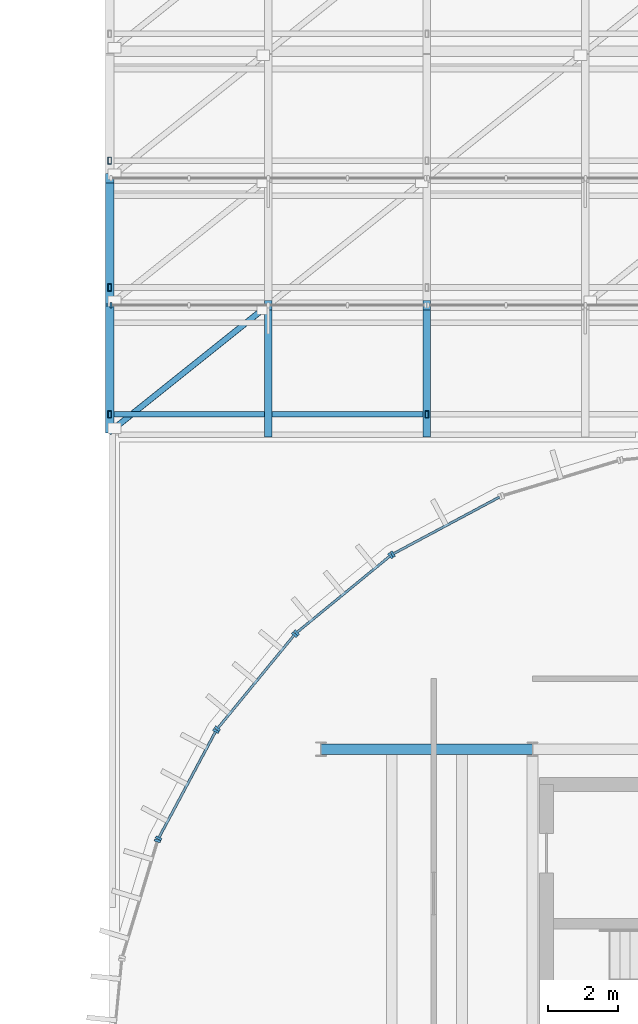
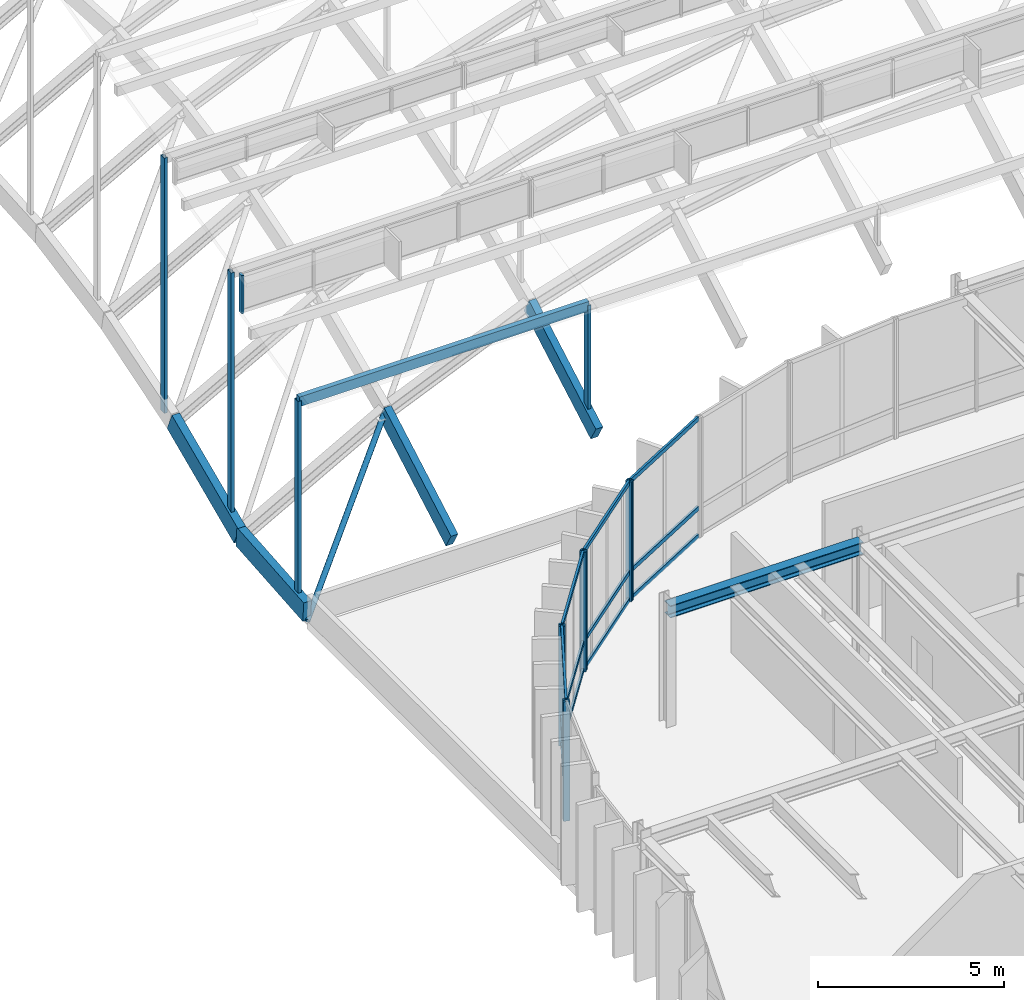
# One storey, part 12 of 69: 27 members, 5 beams, 6 elements without a shape of their own.
"""IFC4 building model written with IfcOpenShell, lengths in metres."""

from ifc_helpers import new_model, si_unit, direction, frame, origin, origin_2d, place, context, subcontext, project, spatial, rectangle, hollow_rectangle, hollow_circle, i_section, extrude, material, layer, layer_set, material_profile, profile_set, type_object, element, aggregate, save


model = new_model("IFC4")

# Units and contexts
model_context = context("Model", 3, precision=1e-05, world=origin(), true_north=direction((0.0, 1.0)))
body_context = subcontext(model_context, "Body", "Model", "MODEL_VIEW")
ifc_project = project(units=[si_unit("LENGTHUNIT", "METRE"), si_unit("AREAUNIT", "SQUARE_METRE"), si_unit("VOLUMEUNIT", "CUBIC_METRE"), si_unit("PLANEANGLEUNIT", "RADIAN"), si_unit("MASSUNIT", "GRAM", prefix="KILO")], contexts=[model_context])

# Site, building, storey
site_placement = place(None, origin())
site = spatial("IfcSite", under=ifc_project, at=site_placement, CompositionType="ELEMENT")
building_placement = place(site_placement, origin())
building = spatial("IfcBuilding", under=site, at=building_placement, Name="Montealbar Specialist Clinic", CompositionType="ELEMENT")
storey_placement = place(building_placement, frame((0.0, 0.0, 9.60009765625)))
storey = spatial("IfcBuildingStorey", under=building, at=storey_placement, Name="L02", CompositionType="ELEMENT", Elevation=9.60009765625)

# Beams
ifc_material_1 = material(Name="Steel S355", Category="steel")
ifc_material_profile_1 = material_profile(ifc_material_1, i_section(OverallWidth=0.300048828125, OverallDepth=0.39990234375, WebThickness=0.013427734375, FlangeThickness=0.02392578125, FilletRadius=0.027099609375, at=origin_2d()), Name="HEB 400", Category="steel")
ifc_profile_set_1 = profile_set([ifc_material_profile_1], Name="Steel S355")
beam_type_1 = type_object("IfcBeamType", Name="BM-GIRD-HEB400", PredefinedType="BEAM", material=ifc_profile_set_1)
beam_1_placement = place(storey_placement, frame((60.0, 36.0, 3.72998046875), z_axis=(1.0, 0.0, 0.0), x_axis=(0.0, 1.0, 0.0)))
element("IfcBeam", 1, at=beam_1_placement, inside=storey, type_object=beam_type_1, Name="Beam GX-L02-600-660-360", PredefinedType="BEAM", context=body_context, shape_type="SweptSolid", body=[
    extrude(i_section(OverallWidth=0.300048828125, OverallDepth=0.39990234375, WebThickness=0.013427734375, FlangeThickness=0.02392578125, FilletRadius=0.027099609375, at=origin_2d()), origin(), (0.0, 0.0, 1.0), 6.0),
])
ifc_material_2 = material(Name="Glulam GL28h", Category="wood")
ifc_material_profile_2 = material_profile(ifc_material_2, rectangle(XDim=0.219970703125, YDim=0.56005859375, at=origin_2d()), Name="GL28h 220x560", Category="wood")
ifc_profile_set_2 = profile_set([ifc_material_profile_2], Name="Glulam GL28h")
beam_type_2 = type_object("IfcBeamType", Name="BM-GL-220x560-EXT", PredefinedType="BEAM", material=ifc_profile_set_2)
for number, where, z_axis, x_axis, name in (
    (2, (58.5, 45.0, 1.074951171875), (0.0, 0.869922637782, 0.493188203706), (-1.0, 0.0, 0.0), "Gridshell Glulam Roof Truss Rib Y 1-0"),
    (3, (63.0, 45.0, 3.014892578125), (0.0, 0.869922637782, 0.493188203706), (-1.0, 0.0, 0.0), "Gridshell Glulam Roof Truss Rib Y 2-0"),
):
    element("IfcBeam", number, at=place(storey_placement, frame(where, z_axis=z_axis, x_axis=x_axis)), inside=storey, type_object=beam_type_2, Name=name, PredefinedType="BEAM", context=body_context, shape_type="SweptSolid", body=[
        extrude(rectangle(XDim=0.219970703125, YDim=0.56005859375, at=origin_2d()), origin(), (0.0, 0.0, 1.0), 4.138427734375),
    ])
ifc_material_profile_3 = material_profile(ifc_material_2, rectangle(XDim=0.239990234375, YDim=0.639892578125, at=origin_2d()), Name="GL28h 240x640", Category="wood")
ifc_profile_set_3 = profile_set([ifc_material_profile_3], Name="Glulam GL28h")
beam_type_3 = type_object("IfcBeamType", Name="BM-GL-240x640-EXT", PredefinedType="BEAM", material=ifc_profile_set_3)
beam_2_placement = place(storey_placement, frame((54.0, 45.0, 0.31982421875), z_axis=(0.0, 0.996522415849, 0.083325114522), x_axis=(-1.0, 0.0, 0.0)))
element("IfcBeam", 4, at=beam_2_placement, inside=storey, type_object=beam_type_3, Name="Gridshell Glulam Roof Truss Rib Y 0-0", PredefinedType="BEAM", context=body_context, shape_type="SweptSolid", body=[
    extrude(rectangle(XDim=0.239990234375, YDim=0.639892578125, at=origin_2d()), origin(), (0.0, 0.0, 1.0), 3.612548828125),
])
beam_3_placement = place(storey_placement, frame((54.0, 48.60009765625, 0.620849609375), z_axis=(0.0, 0.914921171359, 0.403632568307), x_axis=(-1.0, 0.0, 0.0)))
element("IfcBeam", 5, at=beam_3_placement, inside=storey, type_object=beam_type_3, Name="Gridshell Glulam Roof Truss Rib Y 0-1", PredefinedType="BEAM", context=body_context, shape_type="SweptSolid", body=[
    extrude(rectangle(XDim=0.239990234375, YDim=0.639892578125, at=origin_2d()), origin(), (0.0, 0.0, 1.0), 3.9345703125),
])

# Curtain wall, member
ifc_material_3 = material(Name="Low-E double glazing", Category="glass")
ifc_layer_1 = layer(ifc_material_3, 0.199951171875, Name="Low-E double glazing", Category="glass")
ifc_layer_set_1 = layer_set([ifc_layer_1], Name="Low-E double glazing")
curtain_wall_type_1 = type_object("IfcCurtainWallType", Name="CW-TYPE-47", PredefinedType="NOTDEFINED", material=ifc_layer_set_1)
curtain_wall_1_placement = place(storey_placement, origin())
curtain_wall_1 = element("IfcCurtainWall", 6, at=curtain_wall_1_placement, inside=storey, type_object=curtain_wall_type_1, Name="Unitised Curtain Wall CW-L02-540-486-630-486-175", PredefinedType="NOTDEFINED")
ifc_material_4 = material(Name="Anodised aluminium EN AW-6063", Category="aluminium")
ifc_material_profile_4 = material_profile(ifc_material_4, rectangle(XDim=0.06005859375, YDim=0.159912109375, at=origin_2d()), Name="ALU 60x160", Category="aluminium")
ifc_profile_set_4 = profile_set([ifc_material_profile_4], Name="Anodised aluminium EN AW-6063")
member_type_1 = type_object("IfcMemberType", Name="CW-MUL-160", PredefinedType="MULLION", material=ifc_profile_set_4)
member_1_placement = place(storey_placement, frame((54.034912109375, 48.60009765625, 7.933837890625), z_axis=(0.0, 0.0, 1.0), x_axis=(1.0, 0.0, 0.0)))
member_1 = element("IfcMember", 7, at=member_1_placement, type_object=member_type_1, Name="Curtain Wall Mullion CW-L02-540-486-630-486-175-00", PredefinedType="MULLION", context=body_context, shape_type="SweptSolid", body=[
    extrude(rectangle(XDim=0.06005859375, YDim=0.159912109375, at=origin_2d()), origin(), (0.0, 0.0, 1.0), 1.257080078125),
])
aggregate(curtain_wall_1, [member_1])

ifc_layer_2 = layer(ifc_material_3, 0.199951171875, Name="Low-E double glazing", Category="glass")
ifc_layer_set_2 = layer_set([ifc_layer_2], Name="Low-E double glazing")
curtain_wall_type_2 = type_object("IfcCurtainWallType", Name="CW-TYPE-12", PredefinedType="NOTDEFINED", material=ifc_layer_set_2)
curtain_wall_2_placement = place(storey_placement, origin())
curtain_wall_2 = element("IfcCurtainWall", 8, at=curtain_wall_2_placement, inside=storey, type_object=curtain_wall_type_2, Name="Unitised Curtain Wall CW-L02-543-301-554-334-96", PredefinedType="NOTDEFINED")
ifc_material_profile_5 = material_profile(ifc_material_4, rectangle(XDim=0.070068359375, YDim=0.179931640625, at=origin_2d()), Name="ALU 70x180", Category="aluminium")
ifc_profile_set_5 = profile_set([ifc_material_profile_5], Name="Anodised aluminium EN AW-6063")
member_type_2 = type_object("IfcMemberType", Name="CW-MUL-200", PredefinedType="MULLION", material=ifc_profile_set_5)
member_2_placement = place(storey_placement, frame((55.35791015625, 33.39990234375, 0.0), z_axis=(0.0, 0.0, 1.0), x_axis=(0.290259134399, 0.956948083701, 0.0)))
member_2 = element("IfcMember", 9, at=member_2_placement, type_object=member_type_2, Name="Curtain Wall Mullion CW-L02-543-301-554-334-96-01", PredefinedType="MULLION", context=body_context, shape_type="SweptSolid", body=[
    extrude(rectangle(XDim=0.070068359375, YDim=0.179931640625, at=origin_2d()), origin(), (0.0, 0.0, 1.0), 3.929931640625),
])
aggregate(curtain_wall_2, [member_2])

# Curtain wall, members
curtain_wall_3_placement = place(storey_placement, origin())
curtain_wall_3 = element("IfcCurtainWall", 10, at=curtain_wall_3_placement, inside=storey, type_object=curtain_wall_type_2, Name="Unitised Curtain Wall CW-L02-554-334-570-366-96", PredefinedType="NOTDEFINED")
member_3_placement = place(storey_placement, frame((55.388916015625, 33.472900390625, 0.0), z_axis=(0.0, 0.0, 1.0), x_axis=(0.471529268958, 0.881850411644, 0.0)))
member_3 = element("IfcMember", 11, at=member_3_placement, type_object=member_type_2, Name="Curtain Wall Mullion CW-L02-554-334-570-366-96-00", PredefinedType="MULLION", context=body_context, shape_type="SweptSolid", body=[
    extrude(rectangle(XDim=0.070068359375, YDim=0.179931640625, at=origin_2d()), origin(), (0.0, 0.0, 1.0), 3.929931640625),
])
member_4_placement = place(storey_placement, frame((57.014892578125, 36.514892578125, 0.0), z_axis=(0.0, 0.0, 1.0), x_axis=(0.471529268958, 0.881850411644, 0.0)))
member_4 = element("IfcMember", 12, at=member_4_placement, type_object=member_type_2, Name="Curtain Wall Mullion CW-L02-554-334-570-366-96-01", PredefinedType="MULLION", context=body_context, shape_type="SweptSolid", body=[
    extrude(rectangle(XDim=0.070068359375, YDim=0.179931640625, at=origin_2d()), origin(), (0.0, 0.0, 1.0), 3.929931640625),
])

curtain_wall_4_placement = place(storey_placement, origin())
curtain_wall_4 = element("IfcCurtainWall", 13, at=curtain_wall_4_placement, inside=storey, type_object=curtain_wall_type_2, Name="Unitised Curtain Wall CW-L02-570-366-593-393-96", PredefinedType="NOTDEFINED")
member_5_placement = place(storey_placement, frame((57.05908203125, 36.5810546875, 0.0), z_axis=(0.0, 0.0, 1.0), x_axis=(0.634255808922, 0.773123255923, 0.0)))
member_5 = element("IfcMember", 14, at=member_5_placement, type_object=member_type_2, Name="Curtain Wall Mullion CW-L02-570-366-593-393-96-00", PredefinedType="MULLION", context=body_context, shape_type="SweptSolid", body=[
    extrude(rectangle(XDim=0.070068359375, YDim=0.179931640625, at=origin_2d()), origin(), (0.0, 0.0, 1.0), 3.929931640625),
])
member_6_placement = place(storey_placement, frame((59.2470703125, 39.2470703125, 0.0), z_axis=(0.0, 0.0, 1.0), x_axis=(0.634255808922, 0.773123255923, 0.0)))
member_6 = element("IfcMember", 15, at=member_6_placement, type_object=member_type_2, Name="Curtain Wall Mullion CW-L02-570-366-593-393-96-01", PredefinedType="MULLION", context=body_context, shape_type="SweptSolid", body=[
    extrude(rectangle(XDim=0.070068359375, YDim=0.179931640625, at=origin_2d()), origin(), (0.0, 0.0, 1.0), 3.929931640625),
])

curtain_wall_5_placement = place(storey_placement, origin())
curtain_wall_5 = element("IfcCurtainWall", 16, at=curtain_wall_5_placement, inside=storey, type_object=curtain_wall_type_2, Name="Unitised Curtain Wall CW-L02-593-393-620-415-96", PredefinedType="NOTDEFINED")
member_7_placement = place(storey_placement, frame((59.302978515625, 39.302978515625, 0.0), z_axis=(0.0, 0.0, 1.0), x_axis=(0.773123255923, 0.634255808922, 0.0)))
member_7 = element("IfcMember", 17, at=member_7_placement, type_object=member_type_2, Name="Curtain Wall Mullion CW-L02-593-393-620-415-96-00", PredefinedType="MULLION", context=body_context, shape_type="SweptSolid", body=[
    extrude(rectangle(XDim=0.070068359375, YDim=0.179931640625, at=origin_2d()), origin(), (0.0, 0.0, 1.0), 3.929931640625),
])
member_8_placement = place(storey_placement, frame((61.968994140625, 41.490966796875, 0.0), z_axis=(0.0, 0.0, 1.0), x_axis=(0.773123255923, 0.634255808922, 0.0)))
member_8 = element("IfcMember", 18, at=member_8_placement, type_object=member_type_2, Name="Curtain Wall Mullion CW-L02-593-393-620-415-96-01", PredefinedType="MULLION", context=body_context, shape_type="SweptSolid", body=[
    extrude(rectangle(XDim=0.070068359375, YDim=0.179931640625, at=origin_2d()), origin(), (0.0, 0.0, 1.0), 3.929931640625),
])

# Curtain wall, member
curtain_wall_6_placement = place(storey_placement, origin())
curtain_wall_6 = element("IfcCurtainWall", 19, at=curtain_wall_6_placement, inside=storey, type_object=curtain_wall_type_2, Name="Unitised Curtain Wall CW-L02-620-415-651-432-96", PredefinedType="NOTDEFINED")
member_9_placement = place(storey_placement, frame((62.034912109375, 41.534912109375, 0.0), z_axis=(0.0, 0.0, 1.0), x_axis=(0.881850411644, 0.471529268958, 0.0)))
member_9 = element("IfcMember", 20, at=member_9_placement, type_object=member_type_2, Name="Curtain Wall Mullion CW-L02-620-415-651-432-96-00", PredefinedType="MULLION", context=body_context, shape_type="SweptSolid", body=[
    extrude(rectangle(XDim=0.070068359375, YDim=0.179931640625, at=origin_2d()), origin(), (0.0, 0.0, 1.0), 3.929931640625),
])

# Member
ifc_material_5 = material(Name="Powder-coated aluminium", Category="aluminium")
ifc_material_profile_6 = material_profile(ifc_material_5, rectangle(XDim=0.070068359375, YDim=0.139892578125, at=origin_2d()), Name="ALU 70x140", Category="aluminium")
ifc_profile_set_6 = profile_set([ifc_material_profile_6], Name="Powder-coated aluminium")
member_type_3 = type_object("IfcMemberType", Name="CW-TRN-140", PredefinedType="USERDEFINED", material=ifc_profile_set_6)
member_10_placement = place(storey_placement, frame((55.39404296875, 33.48193359375, 0.039794921875), z_axis=(0.471286558069, 0.881980147273, 0.0), x_axis=(-0.881980147273, 0.471286558069, 0.0)))
member_10 = element("IfcMember", 21, at=member_10_placement, type_object=member_type_3, Name="Curtain Wall Transom CW-L02-554-334-570-366-96-00", ObjectType="TRANSOM", PredefinedType="USERDEFINED", context=body_context, shape_type="SweptSolid", body=[
    extrude(rectangle(XDim=0.070068359375, YDim=0.139892578125, at=origin_2d()), origin(), (0.0, 0.0, 1.0), 3.428955078125),
])

member_11_placement = place(storey_placement, frame((55.39404296875, 33.48193359375, 0.949951171875), z_axis=(0.471286558069, 0.881980147273, 0.0), x_axis=(-0.881980147273, 0.471286558069, 0.0)))
member_11 = element("IfcMember", 22, at=member_11_placement, type_object=member_type_3, Name="Curtain Wall Transom CW-L02-554-334-570-366-96-01", ObjectType="TRANSOM", PredefinedType="USERDEFINED", context=body_context, shape_type="SweptSolid", body=[
    extrude(rectangle(XDim=0.070068359375, YDim=0.139892578125, at=origin_2d()), origin(), (0.0, 0.0, 1.0), 3.428955078125),
])

member_12_placement = place(storey_placement, frame((55.39404296875, 33.48193359375, 3.889892578125), z_axis=(0.471286558069, 0.881980147273, 0.0), x_axis=(-0.881980147273, 0.471286558069, 0.0)))
member_12 = element("IfcMember", 23, at=member_12_placement, type_object=member_type_3, Name="Curtain Wall Transom CW-L02-554-334-570-366-96-02", ObjectType="TRANSOM", PredefinedType="USERDEFINED", context=body_context, shape_type="SweptSolid", body=[
    extrude(rectangle(XDim=0.070068359375, YDim=0.139892578125, at=origin_2d()), origin(), (0.0, 0.0, 1.0), 3.428955078125),
])

aggregate(curtain_wall_3, [member_3, member_4, member_10, member_11, member_12])

member_13_placement = place(storey_placement, frame((57.06591796875, 36.589111328125, 0.039794921875), z_axis=(0.634280591441, 0.773102924144, 0.0), x_axis=(-0.773102924144, 0.634280591441, 0.0)))
member_13 = element("IfcMember", 24, at=member_13_placement, type_object=member_type_3, Name="Curtain Wall Transom CW-L02-570-366-593-393-96-00", ObjectType="TRANSOM", PredefinedType="USERDEFINED", context=body_context, shape_type="SweptSolid", body=[
    extrude(rectangle(XDim=0.070068359375, YDim=0.139892578125, at=origin_2d()), origin(), (0.0, 0.0, 1.0), 3.427734375),
])

member_14_placement = place(storey_placement, frame((57.06591796875, 36.589111328125, 0.949951171875), z_axis=(0.634280591441, 0.773102924144, 0.0), x_axis=(-0.773102924144, 0.634280591441, 0.0)))
member_14 = element("IfcMember", 25, at=member_14_placement, type_object=member_type_3, Name="Curtain Wall Transom CW-L02-570-366-593-393-96-01", ObjectType="TRANSOM", PredefinedType="USERDEFINED", context=body_context, shape_type="SweptSolid", body=[
    extrude(rectangle(XDim=0.070068359375, YDim=0.139892578125, at=origin_2d()), origin(), (0.0, 0.0, 1.0), 3.427734375),
])

member_15_placement = place(storey_placement, frame((57.06591796875, 36.589111328125, 3.889892578125), z_axis=(0.634280591441, 0.773102924144, 0.0), x_axis=(-0.773102924144, 0.634280591441, 0.0)))
member_15 = element("IfcMember", 26, at=member_15_placement, type_object=member_type_3, Name="Curtain Wall Transom CW-L02-570-366-593-393-96-02", ObjectType="TRANSOM", PredefinedType="USERDEFINED", context=body_context, shape_type="SweptSolid", body=[
    extrude(rectangle(XDim=0.070068359375, YDim=0.139892578125, at=origin_2d()), origin(), (0.0, 0.0, 1.0), 3.427734375),
])

aggregate(curtain_wall_4, [member_5, member_6, member_13, member_14, member_15])

member_16_placement = place(storey_placement, frame((59.31103515625, 39.31005859375, 0.039794921875), z_axis=(0.773137851948, 0.634238016745, 0.0), x_axis=(-0.634238016745, 0.773137851948, 0.0)))
member_16 = element("IfcMember", 27, at=member_16_placement, type_object=member_type_3, Name="Curtain Wall Transom CW-L02-593-393-620-415-96-00", ObjectType="TRANSOM", PredefinedType="USERDEFINED", context=body_context, shape_type="SweptSolid", body=[
    extrude(rectangle(XDim=0.070068359375, YDim=0.139892578125, at=origin_2d()), origin(), (0.0, 0.0, 1.0), 3.427490234375),
])

member_17_placement = place(storey_placement, frame((59.31103515625, 39.31005859375, 0.949951171875), z_axis=(0.773137851948, 0.634238016745, 0.0), x_axis=(-0.634238016745, 0.773137851948, 0.0)))
member_17 = element("IfcMember", 28, at=member_17_placement, type_object=member_type_3, Name="Curtain Wall Transom CW-L02-593-393-620-415-96-01", ObjectType="TRANSOM", PredefinedType="USERDEFINED", context=body_context, shape_type="SweptSolid", body=[
    extrude(rectangle(XDim=0.070068359375, YDim=0.139892578125, at=origin_2d()), origin(), (0.0, 0.0, 1.0), 3.427490234375),
])

member_18_placement = place(storey_placement, frame((59.31103515625, 39.31005859375, 3.889892578125), z_axis=(0.773137851948, 0.634238016745, 0.0), x_axis=(-0.634238016745, 0.773137851948, 0.0)))
member_18 = element("IfcMember", 29, at=member_18_placement, type_object=member_type_3, Name="Curtain Wall Transom CW-L02-593-393-620-415-96-02", ObjectType="TRANSOM", PredefinedType="USERDEFINED", context=body_context, shape_type="SweptSolid", body=[
    extrude(rectangle(XDim=0.070068359375, YDim=0.139892578125, at=origin_2d()), origin(), (0.0, 0.0, 1.0), 3.427490234375),
])

aggregate(curtain_wall_5, [member_7, member_8, member_16, member_17, member_18])

member_19_placement = place(storey_placement, frame((62.0439453125, 41.5400390625, 0.039794921875), z_axis=(0.881980147273, 0.471286558069, 0.0), x_axis=(-0.471286558069, 0.881980147273, 0.0)))
member_19 = element("IfcMember", 30, at=member_19_placement, type_object=member_type_3, Name="Curtain Wall Transom CW-L02-620-415-651-432-96-00", ObjectType="TRANSOM", PredefinedType="USERDEFINED", context=body_context, shape_type="SweptSolid", body=[
    extrude(rectangle(XDim=0.070068359375, YDim=0.139892578125, at=origin_2d()), origin(), (0.0, 0.0, 1.0), 3.428955078125),
])

member_20_placement = place(storey_placement, frame((62.0439453125, 41.5400390625, 0.949951171875), z_axis=(0.881980147273, 0.471286558069, 0.0), x_axis=(-0.471286558069, 0.881980147273, 0.0)))
member_20 = element("IfcMember", 31, at=member_20_placement, type_object=member_type_3, Name="Curtain Wall Transom CW-L02-620-415-651-432-96-01", ObjectType="TRANSOM", PredefinedType="USERDEFINED", context=body_context, shape_type="SweptSolid", body=[
    extrude(rectangle(XDim=0.070068359375, YDim=0.139892578125, at=origin_2d()), origin(), (0.0, 0.0, 1.0), 3.428955078125),
])

member_21_placement = place(storey_placement, frame((62.0439453125, 41.5400390625, 3.889892578125), z_axis=(0.881980147273, 0.471286558069, 0.0), x_axis=(-0.471286558069, 0.881980147273, 0.0)))
member_21 = element("IfcMember", 32, at=member_21_placement, type_object=member_type_3, Name="Curtain Wall Transom CW-L02-620-415-651-432-96-02", ObjectType="TRANSOM", PredefinedType="USERDEFINED", context=body_context, shape_type="SweptSolid", body=[
    extrude(rectangle(XDim=0.070068359375, YDim=0.139892578125, at=origin_2d()), origin(), (0.0, 0.0, 1.0), 3.428955078125),
])

aggregate(curtain_wall_6, [member_9, member_19, member_20, member_21])

# Members
ifc_material_profile_7 = material_profile(ifc_material_1, hollow_circle(Radius=0.084228515625, WallThickness=0.008056640625, at=origin_2d()), Name="CHS 168.3x8.0", Category="steel")
ifc_profile_set_7 = profile_set([ifc_material_profile_7], Name="Steel S355")
member_type_4 = type_object("IfcMemberType", Name="MB-GS-DIAG-EXT", PredefinedType="BRACE", material=ifc_profile_set_7)
member_22_placement = place(storey_placement, frame((54.0, 45.0, 0.0), z_axis=(0.686883207113, 0.54952147201, 0.475623392599), x_axis=(-0.624705380279, 0.780860543151, 0.0)))
element("IfcMember", 33, at=member_22_placement, inside=storey, type_object=member_type_4, Name="Gridshell Roof Brace 0-0", PredefinedType="BRACE", context=body_context, shape_type="SweptSolid", body=[
    extrude(hollow_circle(Radius=0.084228515625, WallThickness=0.008056640625, at=origin_2d()), origin(), (0.0, 0.0, 1.0), 6.55126953125),
])
ifc_material_profile_8 = material_profile(ifc_material_2, rectangle(XDim=0.159912109375, YDim=0.320068359375, at=origin_2d()), Name="GL28h 160x320", Category="wood")
ifc_profile_set_8 = profile_set([ifc_material_profile_8], Name="Glulam GL28h")
member_type_5 = type_object("IfcMemberType", Name="MB-GS-PURLIN-GL-EXT", PredefinedType="PURLIN", material=ifc_profile_set_8)
member_23_placement = place(storey_placement, frame((54.0, 45.5, 6.9248046875), z_axis=(1.0, 0.0, 0.0), x_axis=(0.0, 1.0, 0.0)))
element("IfcMember", 34, at=member_23_placement, inside=storey, type_object=member_type_5, Name="Gridshell Glulam Purlin 1-1-1", PredefinedType="PURLIN", context=body_context, shape_type="SweptSolid", body=[
    extrude(rectangle(XDim=0.159912109375, YDim=0.320068359375, at=origin_2d()), origin(), (0.0, 0.0, 1.0), 9.0),
])
ifc_material_profile_9 = material_profile(ifc_material_1, hollow_rectangle(XDim=0.10009765625, YDim=0.199951171875, WallThickness=0.008056640625, at=origin_2d()), Name="RHS 200x100x8", Category="steel")
ifc_profile_set_9 = profile_set([ifc_material_profile_9], Name="Steel S355")
member_type_6 = type_object("IfcMemberType", Name="MB-GS-PURLIN-ST-EXT", PredefinedType="PURLIN", material=ifc_profile_set_9)
member_24_placement = place(storey_placement, frame((54.0, 45.5, 0.31982421875), z_axis=(0.0, 0.0, 1.0), x_axis=(1.0, 0.0, 0.0)))
element("IfcMember", 35, at=member_24_placement, inside=storey, type_object=member_type_6, Name="Gridshell Monitor Post 1-0", PredefinedType="PURLIN", context=body_context, shape_type="SweptSolid", body=[
    extrude(hollow_rectangle(XDim=0.10009765625, YDim=0.199951171875, WallThickness=0.008056640625, at=origin_2d()), origin(), (0.0, 0.0, 1.0), 6.64697265625),
])
member_25_placement = place(storey_placement, frame((63.0, 45.5, 3.014892578125), z_axis=(0.0, 0.0, 1.0), x_axis=(1.0, 0.0, 0.0)))
element("IfcMember", 36, at=member_25_placement, inside=storey, type_object=member_type_6, Name="Gridshell Monitor Post 1-2", PredefinedType="PURLIN", context=body_context, shape_type="SweptSolid", body=[
    extrude(hollow_rectangle(XDim=0.10009765625, YDim=0.199951171875, WallThickness=0.008056640625, at=origin_2d()), origin(), (0.0, 0.0, 1.0), 3.951904296875),
])
for number, where, z_axis, x_axis, name in (
    (37, (54.0, 49.10009765625, 0.620849609375), (0.0, 0.0, 1.0), (1.0, 0.0, 0.0), "Gridshell Monitor Post 2-0"),
    (38, (54.0, 52.699951171875, 2.208984375), (0.0, 0.0, 1.0), (1.0, 0.0, 0.0), "Gridshell Monitor Post 3-0"),
):
    element("IfcMember", number, at=place(storey_placement, frame(where, z_axis=z_axis, x_axis=x_axis)), inside=storey, type_object=member_type_6, Name=name, PredefinedType="PURLIN", context=body_context, shape_type="SweptSolid", body=[
        extrude(hollow_rectangle(XDim=0.10009765625, YDim=0.199951171875, WallThickness=0.008056640625, at=origin_2d()), origin(), (0.0, 0.0, 1.0), 8.386962890625),
    ])

save(model, "model.ifc")
